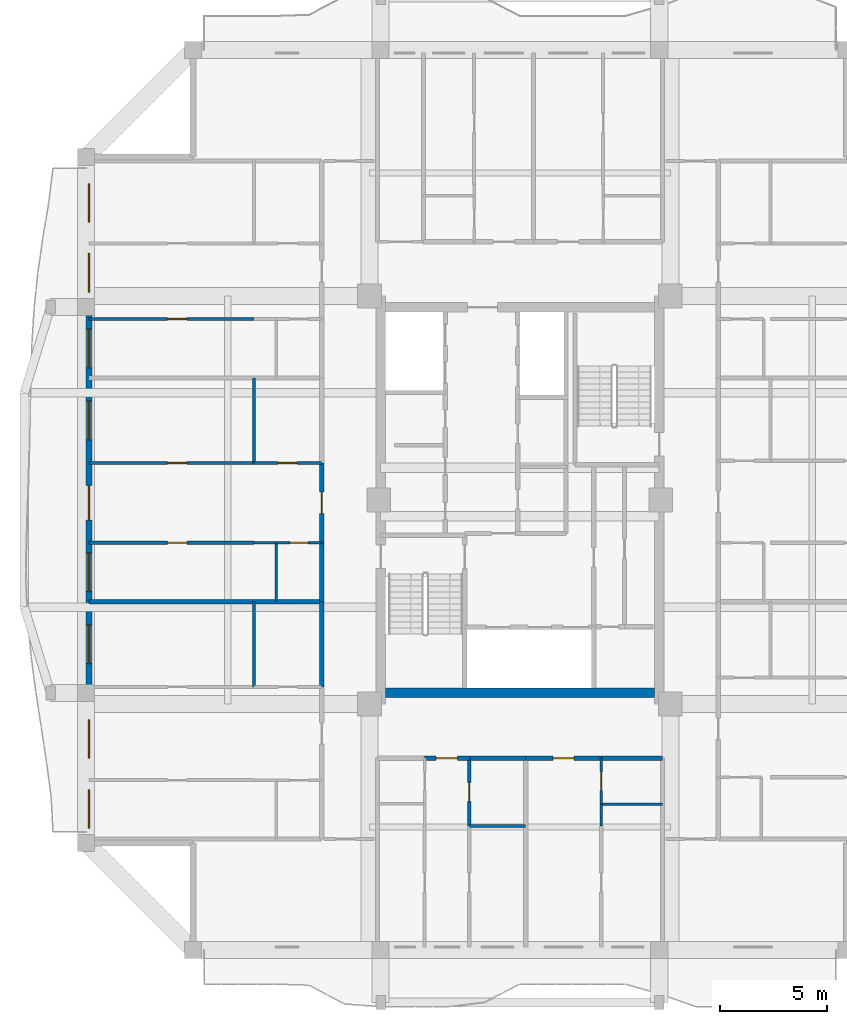
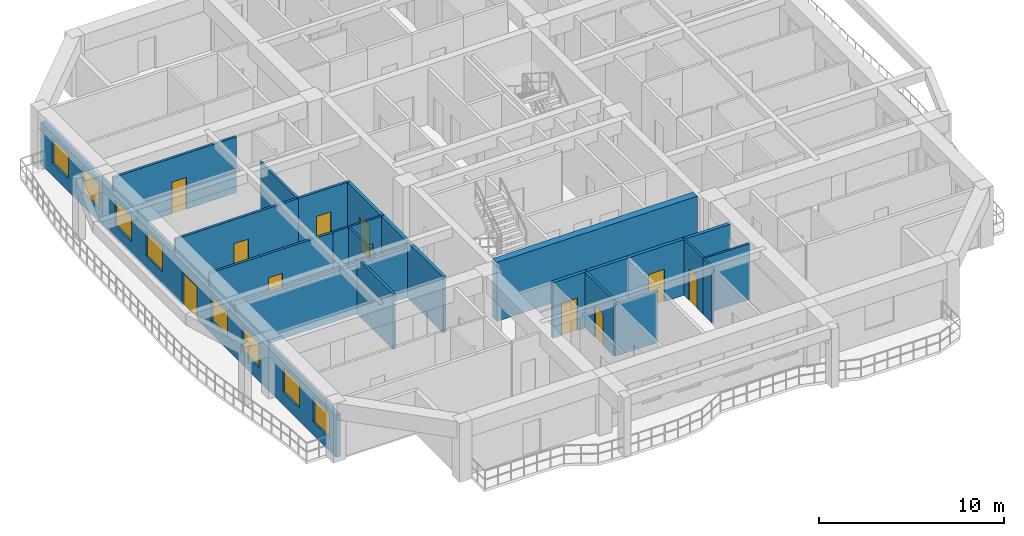
# One storey, part 3 of 14: 24 walls, 11 doors, 8 windows, 19 openings.
"""IFC4 building model written with IfcOpenShell, lengths in metres."""

import ifcopenshell
import ifcopenshell.guid

model = None  # the IFC model being written
_history = None  # IfcOwnerHistory: only IFC2X3 demands one
_inside = {}  # id of a spatial element -> (the spatial element, [elements in it])
_under = {}  # id of a project, library or spatial element -> (it, [spatial elements below it])
_declared = {}  # id of a project -> (the project, [libraries it declares])
_typed = {}  # id of a type object -> (the type object, [elements of that type])
_made_of = {}  # id of a material, layer set ... -> (it, [elements and type objects made of it])


def new_model(schema):
    """Start an empty IFC model of exactly this schema.

    Asked for "IFC4X3", IfcOpenShell would pick the latest addendum, in which some entities
    have other attributes; the version numbers below select the first issue.
    IFC2X3 requires an IfcOwnerHistory on every rooted entity: one is made here for all.
    """
    global model, _history
    if schema == "IFC4X3":
        model = ifcopenshell.file(schema_version=(4, 3, 0, 0))
    else:
        model = ifcopenshell.file(schema=schema)
    _inside.clear()
    _under.clear()
    _declared.clear()
    _typed.clear()
    _made_of.clear()
    _history = None
    if model.schema == "IFC2X3":
        org = make("IfcOrganization", Name="unknown")
        user = make(
            "IfcPersonAndOrganization",
            ThePerson=make("IfcPerson", FamilyName="unknown"),
            TheOrganization=org,
        )
        app = make(
            "IfcApplication",
            ApplicationDeveloper=org,
            Version="unknown",
            ApplicationFullName="unknown",
            ApplicationIdentifier="unknown",
        )
        _history = make(
            "IfcOwnerHistory",
            OwningUser=user,
            OwningApplication=app,
            ChangeAction="ADDED",
            CreationDate=0,
        )
    return model


def make(cls, **values):
    """One entity of the class cls with the attributes given. An attribute that is None is left unset."""
    return model.create_entity(
        cls, **{name: value for name, value in values.items() if value is not None}
    )


def rooted(cls, **values):
    """An entity with a GlobalId (a new one), such as an element, a storey or a relation."""
    return make(cls, GlobalId=ifcopenshell.guid.new(), OwnerHistory=_history, **values)


def si_unit(unit_type, name, prefix=None):
    """IfcSIUnit, for example si_unit("LENGTHUNIT", "METRE", prefix="MILLI")."""
    return make("IfcSIUnit", UnitType=unit_type, Prefix=prefix, Name=name)


def assignment(units):
    """IfcUnitAssignment: the units of a project."""
    return None if units is None else make("IfcUnitAssignment", Units=units)


def point(xyz):
    """IfcCartesianPoint."""
    return None if xyz is None else make("IfcCartesianPoint", Coordinates=xyz)


def direction(xyz):
    """IfcDirection."""
    return None if xyz is None else make("IfcDirection", DirectionRatios=xyz)


def frame(location, z_axis=None, x_axis=None):
    """IfcAxis2Placement3D, a coordinate frame: its origin and axes. An axis left out is left unset."""
    return make(
        "IfcAxis2Placement3D",
        Location=point(location),
        Axis=direction(z_axis),
        RefDirection=direction(x_axis),
    )


def frame_2d(location, x_axis=None):
    """IfcAxis2Placement2D, a coordinate frame in the plane: its origin and x axis."""
    return make(
        "IfcAxis2Placement2D", Location=point(location), RefDirection=direction(x_axis)
    )


def origin():
    """The frame at (0, 0, 0) with its axes left unset."""
    return frame((0.0, 0.0, 0.0))


def place(relative_to, where):
    """IfcLocalPlacement: puts the frame where relative to a parent placement (None: the world)."""
    return make(
        "IfcLocalPlacement", PlacementRelTo=relative_to, RelativePlacement=where
    )


def context(
    kind, dimensions, precision=None, world=None, true_north=None, identifier=None
):
    """IfcGeometricRepresentationContext, for example the 3D "Model" context."""
    return make(
        "IfcGeometricRepresentationContext",
        ContextIdentifier=identifier,
        ContextType=kind,
        CoordinateSpaceDimension=dimensions,
        Precision=precision,
        WorldCoordinateSystem=world,
        TrueNorth=true_north,
    )


def subcontext(parent, identifier, kind, view, scale=None):
    """IfcGeometricRepresentationSubContext, for example "Body" below "Model"."""
    return make(
        "IfcGeometricRepresentationSubContext",
        ContextIdentifier=identifier,
        ContextType=kind,
        ParentContext=parent,
        TargetScale=scale,
        TargetView=view,
    )


def project(units=None, contexts=None):
    """IfcProject with its units and contexts."""
    return rooted(
        "IfcProject",
        Name="project",
        RepresentationContexts=contexts,
        UnitsInContext=assignment(units),
    )


def spatial(cls, under=None, at=None, **own):
    """A site, building, storey or space (cls), placed at a placement, below another one or the project."""
    s = rooted(cls, ObjectPlacement=at, **own)
    if under is not None:
        _under.setdefault(under.id(), (under, []))[1].append(s)
    return s


def profile(cls, at=None, kind="AREA", **sizes):
    """A parametric profile (cls). Its sizes go by their IFC names, for example OverallWidth=200.0."""
    return make(cls, ProfileType=kind, Position=at, **sizes)


def rectangle(**sizes):
    """IfcRectangleProfileDef."""
    return profile("IfcRectangleProfileDef", **sizes)


def extrude(swept, where, along, depth):
    """IfcExtrudedAreaSolid: the profile swept, set in the frame where, extruded along a direction by depth."""
    return make(
        "IfcExtrudedAreaSolid",
        SweptArea=swept,
        Position=where,
        ExtrudedDirection=direction(along),
        Depth=depth,
    )


def shape(context_of_items, identifier, shape_type, items):
    """IfcShapeRepresentation: the items that make up one representation, for example the "Body"."""
    return make(
        "IfcShapeRepresentation",
        ContextOfItems=context_of_items,
        RepresentationIdentifier=identifier,
        RepresentationType=shape_type,
        Items=items,
    )


def source(mapping_origin, context_of_items, identifier, shape_type, items):
    """IfcRepresentationMap: a shape defined once, which mapped items show again and again."""
    return make(
        "IfcRepresentationMap",
        MappingOrigin=mapping_origin,
        MappedRepresentation=shape(context_of_items, identifier, shape_type, items),
    )


def transform(
    local_origin,
    x_axis=None,
    y_axis=None,
    z_axis=None,
    scale=None,
    scale2=None,
    scale3=None,
    uniform=True,
):
    """IfcCartesianTransformationOperator3D, or its non-uniform kind. x_axis, y_axis, z_axis: its Axis1, 2, 3."""
    if uniform:
        return make(
            "IfcCartesianTransformationOperator3D",
            Axis1=direction(x_axis),
            Axis2=direction(y_axis),
            LocalOrigin=point(local_origin),
            Scale=scale,
            Axis3=direction(z_axis),
        )
    return make(
        "IfcCartesianTransformationOperator3DnonUniform",
        Axis1=direction(x_axis),
        Axis2=direction(y_axis),
        LocalOrigin=point(local_origin),
        Scale=scale,
        Axis3=direction(z_axis),
        Scale2=scale2,
        Scale3=scale3,
    )


def mapped(mapping_source, mapping_target):
    """IfcMappedItem: shows the shape of a source again, moved by a transform."""
    return make(
        "IfcMappedItem", MappingSource=mapping_source, MappingTarget=mapping_target
    )


def material(Name=None, Category=None):
    """IfcMaterial."""
    return make("IfcMaterial", Name=Name, Category=Category)


def layer(
    of_material, thickness, ventilated=None, Name=None, Category=None, Priority=None
):
    """IfcMaterialLayer: one layer of a wall or slab, of a material (None: an air gap)."""
    return make(
        "IfcMaterialLayer",
        Material=of_material,
        LayerThickness=thickness,
        IsVentilated=ventilated,
        Name=Name,
        Category=Category,
        Priority=Priority,
    )


def layer_set(layers, Name=None):
    """IfcMaterialLayerSet."""
    return make("IfcMaterialLayerSet", MaterialLayers=layers, LayerSetName=Name)


def made_of(thing, what):
    """Note that an element or type object is made of a material, layer set ...; save() writes the relation."""
    if what is not None:
        _made_of.setdefault(what.id(), (what, []))[1].append(thing)
    return thing


def type_object(cls, material=None, **own):
    """A type object (cls), such as IfcWallType, which elements share."""
    return made_of(rooted(cls, **own), material)


def element(
    cls,
    number,
    at=None,
    inside=None,
    cuts=None,
    type_object=None,
    material=None,
    context=None,
    identifier="Body",
    shape_type=None,
    held_by="IfcProductDefinitionShape",
    body=None,
    shapes=None,
    **own,
):
    """One element of the class cls, such as IfcWall. Its Tag is "e" and its number.

    at: its placement. inside: the storey or other place that contains it. cuts: it is an
    opening in that element (IfcRelVoidsElement). A single representation is given by context,
    identifier, shape_type and body (its items); several are given by shapes. held_by: the class
    of the entity that holds the representations. save() writes the other relations.
    """
    e = rooted(cls, Tag="e%d" % number, ObjectPlacement=at, **own)
    if body is not None:
        shapes = [shape(context, identifier, shape_type, body)]
    if shapes is not None:
        e.Representation = make(held_by, Representations=shapes)
    if inside is not None:
        _inside.setdefault(inside.id(), (inside, []))[1].append(e)
    if cuts is not None:
        rooted(
            "IfcRelVoidsElement", RelatingBuildingElement=cuts, RelatedOpeningElement=e
        )
    if type_object is not None:
        _typed.setdefault(type_object.id(), (type_object, []))[1].append(e)
    return made_of(e, material)


def fill(opening, filler):
    """IfcRelFillsElement: the door or window that sits in an opening."""
    return rooted(
        "IfcRelFillsElement",
        RelatingOpeningElement=opening,
        RelatedBuildingElement=filler,
    )


def aggregate(whole, parts):
    """IfcRelAggregates: a whole, such as a stair, and the parts it consists of."""
    return rooted("IfcRelAggregates", RelatingObject=whole, RelatedObjects=parts)


def save(model, path):
    """Write the relations noted so far, then the file.

    IfcRelAggregates (storeys below a building ...), IfcRelContainedInSpatialStructure (elements
    in a storey), IfcRelDefinesByType, IfcRelAssociatesMaterial and IfcRelDeclares: one each for
    every whole, place, type object, material and project.
    """
    for whole, parts in _under.values():
        aggregate(whole, parts)
    for where, things in _inside.values():
        rooted(
            "IfcRelContainedInSpatialStructure",
            RelatedElements=things,
            RelatingStructure=where,
        )
    for kind, things in _typed.values():
        rooted("IfcRelDefinesByType", RelatedObjects=things, RelatingType=kind)
    for what, things in _made_of.values():
        rooted("IfcRelAssociatesMaterial", RelatedObjects=things, RelatingMaterial=what)
    for by, libraries in _declared.values():
        rooted("IfcRelDeclares", RelatingContext=by, RelatedDefinitions=libraries)
    model.write(path)


model = new_model("IFC4")

# Units and contexts
model_context = context("Model", 3, precision=1e-05, world=origin(), true_north=direction((0.0, 1.0)))
body_context = subcontext(model_context, "Body", "Model", "MODEL_VIEW")
ifc_project = project(units=[si_unit("LENGTHUNIT", "METRE"), si_unit("AREAUNIT", "SQUARE_METRE"), si_unit("VOLUMEUNIT", "CUBIC_METRE"), si_unit("PLANEANGLEUNIT", "RADIAN"), si_unit("MASSUNIT", "GRAM", prefix="KILO")], contexts=[model_context])

# Site, building, storey
site_placement = place(None, origin())
site = spatial("IfcSite", under=ifc_project, at=site_placement, CompositionType="ELEMENT")
building_placement = place(site_placement, origin())
building = spatial("IfcBuilding", under=site, at=building_placement, Name="Saelheon Loggia Tower", CompositionType="ELEMENT")
storey_placement = place(building_placement, frame((0.0, 0.0, 182.800048828125)))
storey = spatial("IfcBuildingStorey", under=building, at=storey_placement, Name="L57", CompositionType="ELEMENT", Elevation=182.800048828125)

# Wall
ifc_material_1 = material(Name="Concrete C45/55", Category="concrete")
ifc_layer_1 = layer(ifc_material_1, 0.449951171875)
ifc_layer_set_1 = layer_set([ifc_layer_1], Name="Concrete C45/55")
wall_type_1 = type_object("IfcWallType", Name="Wall_CoreShear_450", PredefinedType="SHEAR", material=ifc_layer_set_1)
wall_1_placement = place(storey_placement, frame((31.72509765625, 18.0, 0.0), z_axis=(0.0, 0.0, 1.0), x_axis=(1.0, 0.0, 0.0)))
element("IfcWall", 1, at=wall_1_placement, inside=storey, type_object=wall_type_1, Name="L57 Core Shear Wall South", PredefinedType="SHEAR", context=body_context, shape_type="SweptSolid", body=[
    extrude(rectangle(XDim=12.5498046875, YDim=0.449951171875, at=frame_2d((6.27490234375, 0.0))), origin(), (0.0, 0.0, 1.0), 3.89990234375),
])

# Wall, openings, windows, door
ifc_material_2 = material(Name="Architectural Precast Concrete C40/50", Category="concrete")
ifc_layer_2 = layer(ifc_material_2, 0.280029296875)
ifc_layer_set_2 = layer_set([ifc_layer_2], Name="Architectural Precast Concrete C40/50")
wall_type_2 = type_object("IfcWallType", Name="Wall_Ext_Loggia_280", PredefinedType="SOLIDWALL", material=ifc_layer_set_2)
wall_2_placement = place(storey_placement, frame((17.889892578125, 11.0, 0.0), z_axis=(0.0, 0.0, 1.0), x_axis=(0.0, 1.0, 0.0)))
wall_2 = element("IfcWall", 2, at=wall_2_placement, inside=storey, type_object=wall_type_2, Name="L57 West Loggia Inner Wall", PredefinedType="SOLIDWALL", context=body_context, shape_type="SweptSolid", body=[
    extrude(rectangle(XDim=32.0, YDim=0.280029296875, at=frame_2d((16.0, 0.0))), origin(), (0.0, 0.0, 1.0), 2.7900390625),
])
opening_1_placement = place(wall_2_placement, frame((0.68505859375, 0.0, 0.85009765625)))
opening_1 = element("IfcOpeningElement", 3, at=opening_1_placement, cuts=wall_2, Name="Opening WN-01", PredefinedType="OPENING", context=body_context, shape_type="SweptSolid", body=[
    extrude(rectangle(XDim=1.800048828125, YDim=1.64990234375, at=frame_2d((0.89990234375, 0.824951171875))), frame((0.0, 0.152099609375, 0.0), z_axis=(0.0, -1.0, 0.0), x_axis=(1.0, 0.0, 0.0)), (0.0, 0.0, 1.0), 0.303955078125),
])
opening_2_placement = place(wall_2_placement, frame((3.945068359375, 0.0, 0.85009765625)))
opening_2 = element("IfcOpeningElement", 4, at=opening_2_placement, cuts=wall_2, Name="Opening WN-01", PredefinedType="OPENING", context=body_context, shape_type="SweptSolid", body=[
    extrude(rectangle(XDim=1.800048828125, YDim=1.64990234375, at=frame_2d((0.89990234375, 0.824951171875))), frame((0.0, 0.152099609375, 0.0), z_axis=(0.0, -1.0, 0.0), x_axis=(1.0, 0.0, 0.0)), (0.0, 0.0, 1.0), 0.303955078125),
])
opening_3_placement = place(wall_2_placement, frame((8.366943359375, 0.0, 0.85009765625)))
opening_3 = element("IfcOpeningElement", 5, at=opening_3_placement, cuts=wall_2, Name="Opening WN-01", PredefinedType="OPENING", context=body_context, shape_type="SweptSolid", body=[
    extrude(rectangle(XDim=1.800048828125, YDim=1.64990234375, at=frame_2d((0.89990234375, 0.824951171875))), frame((0.0, 0.152099609375, 0.0), z_axis=(0.0, -1.0, 0.0), x_axis=(1.0, 0.0, 0.0)), (0.0, 0.0, 1.0), 0.303955078125),
])
opening_4_placement = place(wall_2_placement, frame((11.72900390625, 0.0, 0.85009765625)))
opening_4 = element("IfcOpeningElement", 6, at=opening_4_placement, cuts=wall_2, Name="Opening WN-01", PredefinedType="OPENING", context=body_context, shape_type="SweptSolid", body=[
    extrude(rectangle(XDim=1.800048828125, YDim=1.64990234375, at=frame_2d((0.89990234375, 0.824951171875))), frame((0.0, 0.152099609375, 0.0), z_axis=(0.0, -1.0, 0.0), x_axis=(1.0, 0.0, 0.0)), (0.0, 0.0, 1.0), 0.303955078125),
])
opening_5_placement = place(wall_2_placement, frame((15.065673828125, 0.0, 0.0)))
opening_5 = element("IfcOpeningElement", 7, at=opening_5_placement, cuts=wall_2, Name="Opening DLG-1", PredefinedType="OPENING", context=body_context, shape_type="SweptSolid", body=[
    extrude(rectangle(XDim=1.60009765625, YDim=2.14990234375, at=frame_2d((0.800048828125, 1.074951171875))), frame((0.0, 0.152099609375, 0.0), z_axis=(0.0, -1.0, 0.0), x_axis=(1.0, 0.0, 0.0)), (0.0, 0.0, 1.0), 0.303955078125),
])
opening_6_placement = place(wall_2_placement, frame((18.811279296875, 0.0, 0.85009765625)))
opening_6 = element("IfcOpeningElement", 8, at=opening_6_placement, cuts=wall_2, Name="Opening WN-01", PredefinedType="OPENING", context=body_context, shape_type="SweptSolid", body=[
    extrude(rectangle(XDim=1.800048828125, YDim=1.64990234375, at=frame_2d((0.89990234375, 0.824951171875))), frame((0.0, 0.152099609375, 0.0), z_axis=(0.0, -1.0, 0.0), x_axis=(1.0, 0.0, 0.0)), (0.0, 0.0, 1.0), 0.303955078125),
])
opening_7_placement = place(wall_2_placement, frame((22.170166015625, 0.0, 0.85009765625)))
opening_7 = element("IfcOpeningElement", 9, at=opening_7_placement, cuts=wall_2, Name="Opening WN-01", PredefinedType="OPENING", context=body_context, shape_type="SweptSolid", body=[
    extrude(rectangle(XDim=1.800048828125, YDim=1.64990234375, at=frame_2d((0.89990234375, 0.824951171875))), frame((0.0, 0.152099609375, 0.0), z_axis=(0.0, -1.0, 0.0), x_axis=(1.0, 0.0, 0.0)), (0.0, 0.0, 1.0), 0.303955078125),
])
opening_8_placement = place(wall_2_placement, frame((25.706298828125, 0.0, 0.85009765625)))
opening_8 = element("IfcOpeningElement", 10, at=opening_8_placement, cuts=wall_2, Name="Opening WN-01", PredefinedType="OPENING", context=body_context, shape_type="SweptSolid", body=[
    extrude(rectangle(XDim=1.800048828125, YDim=1.64990234375, at=frame_2d((0.89990234375, 0.824951171875))), frame((0.0, 0.152099609375, 0.0), z_axis=(0.0, -1.0, 0.0), x_axis=(1.0, 0.0, 0.0)), (0.0, 0.0, 1.0), 0.303955078125),
])
opening_9_placement = place(wall_2_placement, frame((28.96630859375, 0.0, 0.85009765625)))
opening_9 = element("IfcOpeningElement", 11, at=opening_9_placement, cuts=wall_2, Name="Opening WN-01", PredefinedType="OPENING", context=body_context, shape_type="SweptSolid", body=[
    extrude(rectangle(XDim=1.800048828125, YDim=1.64990234375, at=frame_2d((0.89990234375, 0.824951171875))), frame((0.0, 0.152099609375, 0.0), z_axis=(0.0, -1.0, 0.0), x_axis=(1.0, 0.0, 0.0)), (0.0, 0.0, 1.0), 0.303955078125),
])
ifc_material_3 = material(Name="Thermal-Break Aluminium and Triple Low-E Glass", Category="aluminium")
window_type = type_object("IfcWindowType", Name="Win_Dwelling_1800x1650", PartitioningType="SINGLE_PANEL", PredefinedType="WINDOW", material=ifc_material_3)
shared_shape_1 = source(origin(), body_context, "Body", "SweptSolid", [
    extrude(rectangle(XDim=1.800048828125, YDim=1.64990234375, at=frame_2d((0.89990234375, 0.824951171875))), frame((0.0, 0.030029296875, 0.0), z_axis=(0.0, -1.0, 0.0), x_axis=(1.0, 0.0, 0.0)), (0.0, 0.0, 1.0), 0.06005859375),
])
window_1_placement = place(opening_1_placement, origin())
window_1 = element("IfcWindow", 12, at=window_1_placement, inside=storey, type_object=window_type, Name="L57 W Dwelling Window 1", OverallHeight=1.64990234375, OverallWidth=1.800048828125, PartitioningType="SINGLE_PANEL", PredefinedType="WINDOW", context=body_context, shape_type="MappedRepresentation", body=[
    mapped(shared_shape_1, transform((0.0, 0.0, 0.0), scale=1.0)),
])
fill(opening_1, window_1)
window_2_placement = place(opening_2_placement, origin())
window_2 = element("IfcWindow", 13, at=window_2_placement, inside=storey, type_object=window_type, Name="L57 W Dwelling Window 2", OverallHeight=1.64990234375, OverallWidth=1.800048828125, PartitioningType="SINGLE_PANEL", PredefinedType="WINDOW", context=body_context, shape_type="MappedRepresentation", body=[
    mapped(shared_shape_1, transform((0.0, 0.0, 0.0), scale=1.0)),
])
fill(opening_2, window_2)
window_3_placement = place(opening_3_placement, origin())
window_3 = element("IfcWindow", 14, at=window_3_placement, inside=storey, type_object=window_type, Name="L57 W Dwelling Window 3", OverallHeight=1.64990234375, OverallWidth=1.800048828125, PartitioningType="SINGLE_PANEL", PredefinedType="WINDOW", context=body_context, shape_type="MappedRepresentation", body=[
    mapped(shared_shape_1, transform((0.0, 0.0, 0.0), scale=1.0)),
])
fill(opening_3, window_3)
window_4_placement = place(opening_4_placement, origin())
window_4 = element("IfcWindow", 15, at=window_4_placement, inside=storey, type_object=window_type, Name="L57 W Dwelling Window 4", OverallHeight=1.64990234375, OverallWidth=1.800048828125, PartitioningType="SINGLE_PANEL", PredefinedType="WINDOW", context=body_context, shape_type="MappedRepresentation", body=[
    mapped(shared_shape_1, transform((0.0, 0.0, 0.0), scale=1.0)),
])
fill(opening_4, window_4)
window_5_placement = place(opening_6_placement, origin())
window_5 = element("IfcWindow", 16, at=window_5_placement, inside=storey, type_object=window_type, Name="L57 W Dwelling Window 6", OverallHeight=1.64990234375, OverallWidth=1.800048828125, PartitioningType="SINGLE_PANEL", PredefinedType="WINDOW", context=body_context, shape_type="MappedRepresentation", body=[
    mapped(shared_shape_1, transform((0.0, 0.0, 0.0), scale=1.0)),
])
fill(opening_6, window_5)
window_6_placement = place(opening_7_placement, origin())
window_6 = element("IfcWindow", 17, at=window_6_placement, inside=storey, type_object=window_type, Name="L57 W Dwelling Window 7", OverallHeight=1.64990234375, OverallWidth=1.800048828125, PartitioningType="SINGLE_PANEL", PredefinedType="WINDOW", context=body_context, shape_type="MappedRepresentation", body=[
    mapped(shared_shape_1, transform((0.0, 0.0, 0.0), scale=1.0)),
])
fill(opening_7, window_6)
window_7_placement = place(opening_8_placement, origin())
window_7 = element("IfcWindow", 18, at=window_7_placement, inside=storey, type_object=window_type, Name="L57 W Dwelling Window 8", OverallHeight=1.64990234375, OverallWidth=1.800048828125, PartitioningType="SINGLE_PANEL", PredefinedType="WINDOW", context=body_context, shape_type="MappedRepresentation", body=[
    mapped(shared_shape_1, transform((0.0, 0.0, 0.0), scale=1.0)),
])
fill(opening_8, window_7)
window_8_placement = place(opening_9_placement, origin())
window_8 = element("IfcWindow", 19, at=window_8_placement, inside=storey, type_object=window_type, Name="L57 W Dwelling Window 9", OverallHeight=1.64990234375, OverallWidth=1.800048828125, PartitioningType="SINGLE_PANEL", PredefinedType="WINDOW", context=body_context, shape_type="MappedRepresentation", body=[
    mapped(shared_shape_1, transform((0.0, 0.0, 0.0), scale=1.0)),
])
fill(opening_9, window_8)
ifc_material_4 = material(Name="Thermal-Break Aluminium Sliding Glazed Door", Category="aluminium")
door_type_1 = type_object("IfcDoorType", Name="Door_LoggiaSlide_1600", OperationType="SLIDING_TO_LEFT", PredefinedType="DOOR", material=ifc_material_4)
shared_shape_2 = source(origin(), body_context, "Body", "SweptSolid", [
    extrude(rectangle(XDim=1.60009765625, YDim=2.14990234375, at=frame_2d((0.800048828125, 1.074951171875))), frame((0.0, 0.02490234375, 0.0), z_axis=(0.0, -1.0, 0.0), x_axis=(1.0, 0.0, 0.0)), (0.0, 0.0, 1.0), 0.050048828125),
])
door_1_placement = place(opening_5_placement, origin())
door_1 = element("IfcDoor", 20, at=door_1_placement, inside=storey, type_object=door_type_1, Name="L57 W Loggia Access Door", OperationType="SLIDING_TO_LEFT", OverallHeight=2.14990234375, OverallWidth=1.60009765625, PredefinedType="DOOR", context=body_context, shape_type="MappedRepresentation", body=[
    mapped(shared_shape_2, transform((0.0, 0.0, 0.0), scale=1.0)),
])
fill(opening_5, door_1)

# Wall
ifc_material_5 = material(Name="Lightweight Autoclaved Aerated Concrete Block and Acoustic Gypsum", Category="concrete")
ifc_layer_3 = layer(ifc_material_5, 0.14990234375)
ifc_layer_set_3 = layer_set([ifc_layer_3], Name="Lightweight Autoclaved Aerated Concrete Block and Acoustic Gypsum")
wall_type_3 = type_object("IfcWallType", Name="Wall_Part_150", PredefinedType="PARTITIONING", material=ifc_layer_set_3)
wall_3_placement = place(storey_placement, frame((35.637939453125, 11.7900390625, 0.0), z_axis=(0.0, 0.0, 1.0), x_axis=(1.0, 0.0, 0.0)))
element("IfcWall", 21, at=wall_3_placement, inside=storey, type_object=wall_type_3, Name="L57 S Partition V07", PredefinedType="PARTITIONING", context=body_context, shape_type="SweptSolid", body=[
    extrude(rectangle(XDim=2.628173828125, YDim=0.14990234375, at=frame_2d((1.31396484375, 0.0))), origin(), (0.0, 0.0, 1.0), 3.389892578125),
])

# Wall, opening, door
wall_4_placement = place(storey_placement, frame((35.637939453125, 14.949951171875, 0.0), z_axis=(0.0, 0.0, 1.0), x_axis=(0.0, -1.0, 0.0)))
wall_4 = element("IfcWall", 22, at=wall_4_placement, inside=storey, type_object=wall_type_3, Name="L57 S Partition U11", PredefinedType="PARTITIONING", context=body_context, shape_type="SweptSolid", body=[
    extrude(rectangle(XDim=3.159912109375, YDim=0.14990234375, at=frame_2d((1.580078125, 0.0))), origin(), (0.0, 0.0, 1.0), 3.68994140625),
])
opening_10_placement = place(wall_4_placement, frame((1.1298828125, 0.0, 0.0)))
opening_10 = element("IfcOpeningElement", 23, at=opening_10_placement, cuts=wall_4, Name="Opening D-IN2", PredefinedType="OPENING", context=body_context, shape_type="SweptSolid", body=[
    extrude(rectangle(XDim=0.89990234375, YDim=2.10009765625, at=frame_2d((0.449951171875, 1.050048828125))), frame((0.0, 0.0869140625, 0.0), z_axis=(0.0, -1.0, 0.0), x_axis=(1.0, 0.0, 0.0)), (0.0, 0.0, 1.0), 0.173828125),
])
ifc_material_6 = material(Name="Engineered Oak Flush Door", Category="timber")
door_type_2 = type_object("IfcDoorType", Name="Door_Int_900", OperationType="NOTDEFINED", PredefinedType="DOOR", material=ifc_material_6)
shared_shape_3 = source(origin(), body_context, "Body", "SweptSolid", [
    extrude(rectangle(XDim=0.89990234375, YDim=2.10009765625, at=frame_2d((0.449951171875, 1.050048828125))), frame((0.0, 0.02490234375, 0.0), z_axis=(0.0, -1.0, 0.0), x_axis=(1.0, 0.0, 0.0)), (0.0, 0.0, 1.0), 0.050048828125),
])
door_2_placement = place(opening_10_placement, origin())
door_2 = element("IfcDoor", 24, at=door_2_placement, inside=storey, type_object=door_type_2, Name="Unit U01 Dressing Closet Door", OperationType="SINGLE_SWING_RIGHT", OverallHeight=2.10009765625, OverallWidth=0.89990234375, PredefinedType="DOOR", context=body_context, shape_type="MappedRepresentation", body=[
    mapped(shared_shape_3, transform((0.0, 0.0, 0.0), scale=1.0)),
])
fill(opening_10, door_2)

# Walls
wall_5_placement = place(storey_placement, frame((25.590087890625, 18.280029296875, 0.0), z_axis=(0.0, 0.0, 1.0), x_axis=(0.0, 1.0, 0.0)))
element("IfcWall", 25, at=wall_5_placement, inside=storey, type_object=wall_type_3, Name="L57 W Partition V07", PredefinedType="PARTITIONING", context=body_context, shape_type="SweptSolid", body=[
    extrude(rectangle(XDim=3.973876953125, YDim=0.14990234375, at=frame_2d((1.98681640625, 0.0))), origin(), (0.0, 0.0, 1.0), 3.68994140625),
])
wall_6_placement = place(storey_placement, frame((25.590087890625, 28.7275390625, 0.0), z_axis=(0.0, 0.0, 1.0), x_axis=(0.0, 1.0, 0.0)))
element("IfcWall", 26, at=wall_6_placement, inside=storey, type_object=wall_type_3, Name="L57 W Partition V18", PredefinedType="PARTITIONING", context=body_context, shape_type="SweptSolid", body=[
    extrude(rectangle(XDim=3.9677734375, YDim=0.14990234375, at=frame_2d((1.98388671875, 0.0))), origin(), (0.0, 0.0, 1.0), 3.68994140625),
])

# Wall, opening, door
wall_7_placement = place(storey_placement, frame((25.590087890625, 25.00390625, 0.0), z_axis=(0.0, 0.0, 1.0), x_axis=(-1.0, 0.0, 0.0)))
wall_7 = element("IfcWall", 27, at=wall_7_placement, inside=storey, type_object=wall_type_3, Name="L57 W Partition U21", PredefinedType="PARTITIONING", context=body_context, shape_type="SweptSolid", body=[
    extrude(rectangle(XDim=7.690185546875, YDim=0.14990234375, at=frame_2d((3.84521484375, 0.0))), origin(), (0.0, 0.0, 1.0), 3.68994140625),
])
opening_11_placement = place(wall_7_placement, frame((3.132080078125, 0.0, 0.0)))
opening_11 = element("IfcOpeningElement", 28, at=opening_11_placement, cuts=wall_7, Name="Opening D-IN2", PredefinedType="OPENING", context=body_context, shape_type="SweptSolid", body=[
    extrude(rectangle(XDim=0.89990234375, YDim=2.10009765625, at=frame_2d((0.449951171875, 1.050048828125))), frame((0.0, 0.0869140625, 0.0), z_axis=(0.0, -1.0, 0.0), x_axis=(1.0, 0.0, 0.0)), (0.0, 0.0, 1.0), 0.173828125),
])
door_3_placement = place(opening_11_placement, origin())
door_3 = element("IfcDoor", 29, at=door_3_placement, inside=storey, type_object=door_type_2, Name="Unit U06 Kitchen Door", OperationType="SINGLE_SWING_LEFT", OverallHeight=2.10009765625, OverallWidth=0.89990234375, PredefinedType="DOOR", context=body_context, shape_type="MappedRepresentation", body=[
    mapped(shared_shape_3, transform((0.0, 0.0, 0.0), scale=1.0)),
])
fill(opening_11, door_3)

wall_8_placement = place(storey_placement, frame((28.75, 28.7275390625, 0.0), z_axis=(0.0, 0.0, 1.0), x_axis=(-1.0, 0.0, 0.0)))
wall_8 = element("IfcWall", 30, at=wall_8_placement, inside=storey, type_object=wall_type_3, Name="L57 W Partition U22", PredefinedType="PARTITIONING", context=body_context, shape_type="SweptSolid", body=[
    extrude(rectangle(XDim=3.159912109375, YDim=0.14990234375, at=frame_2d((1.580078125, 0.0))), origin(), (0.0, 0.0, 1.0), 3.68994140625),
])
opening_12_placement = place(wall_8_placement, frame((1.1298828125, 0.0, 0.0)))
opening_12 = element("IfcOpeningElement", 31, at=opening_12_placement, cuts=wall_8, Name="Opening D-IN2", PredefinedType="OPENING", context=body_context, shape_type="SweptSolid", body=[
    extrude(rectangle(XDim=0.89990234375, YDim=2.10009765625, at=frame_2d((0.449951171875, 1.050048828125))), frame((0.0, 0.0869140625, 0.0), z_axis=(0.0, -1.0, 0.0), x_axis=(1.0, 0.0, 0.0)), (0.0, 0.0, 1.0), 0.173828125),
])
door_4_placement = place(opening_12_placement, origin())
door_4 = element("IfcDoor", 32, at=door_4_placement, inside=storey, type_object=door_type_2, Name="Unit U06 Home Office Door", OperationType="SINGLE_SWING_RIGHT", OverallHeight=2.10009765625, OverallWidth=0.89990234375, PredefinedType="DOOR", context=body_context, shape_type="MappedRepresentation", body=[
    mapped(shared_shape_3, transform((0.0, 0.0, 0.0), scale=1.0)),
])
fill(opening_12, door_4)

wall_9_placement = place(storey_placement, frame((25.590087890625, 28.7275390625, 0.0), z_axis=(0.0, 0.0, 1.0), x_axis=(-1.0, 0.0, 0.0)))
wall_9 = element("IfcWall", 33, at=wall_9_placement, inside=storey, type_object=wall_type_3, Name="L57 W Partition U23", PredefinedType="PARTITIONING", context=body_context, shape_type="SweptSolid", body=[
    extrude(rectangle(XDim=7.690185546875, YDim=0.14990234375, at=frame_2d((3.84521484375, 0.0))), origin(), (0.0, 0.0, 1.0), 3.68994140625),
])
opening_13_placement = place(wall_9_placement, frame((3.132080078125, 0.0, 0.0)))
opening_13 = element("IfcOpeningElement", 34, at=opening_13_placement, cuts=wall_9, Name="Opening D-IN2", PredefinedType="OPENING", context=body_context, shape_type="SweptSolid", body=[
    extrude(rectangle(XDim=0.89990234375, YDim=2.10009765625, at=frame_2d((0.449951171875, 1.050048828125))), frame((0.0, 0.0869140625, 0.0), z_axis=(0.0, -1.0, 0.0), x_axis=(1.0, 0.0, 0.0)), (0.0, 0.0, 1.0), 0.173828125),
])
door_5_placement = place(opening_13_placement, origin())
door_5 = element("IfcDoor", 35, at=door_5_placement, inside=storey, type_object=door_type_2, Name="Unit U06 Bedroom 1 Door", OperationType="SINGLE_SWING_LEFT", OverallHeight=2.10009765625, OverallWidth=0.89990234375, PredefinedType="DOOR", context=body_context, shape_type="MappedRepresentation", body=[
    mapped(shared_shape_3, transform((0.0, 0.0, 0.0), scale=1.0)),
])
fill(opening_13, door_5)

wall_10_placement = place(storey_placement, frame((25.590087890625, 35.4453125, 0.0), z_axis=(0.0, 0.0, 1.0), x_axis=(-1.0, 0.0, 0.0)))
wall_10 = element("IfcWall", 36, at=wall_10_placement, inside=storey, type_object=wall_type_3, Name="L57 W Partition U32", PredefinedType="PARTITIONING", context=body_context, shape_type="SweptSolid", body=[
    extrude(rectangle(XDim=7.690185546875, YDim=0.14990234375, at=frame_2d((3.84521484375, 0.0))), origin(), (0.0, 0.0, 1.0), 3.68994140625),
])
opening_14_placement = place(wall_10_placement, frame((3.132080078125, 0.0, 0.0)))
opening_14 = element("IfcOpeningElement", 37, at=opening_14_placement, cuts=wall_10, Name="Opening D-IN2", PredefinedType="OPENING", context=body_context, shape_type="SweptSolid", body=[
    extrude(rectangle(XDim=0.89990234375, YDim=2.10009765625, at=frame_2d((0.449951171875, 1.050048828125))), frame((0.0, 0.0869140625, 0.0), z_axis=(0.0, -1.0, 0.0), x_axis=(1.0, 0.0, 0.0)), (0.0, 0.0, 1.0), 0.173828125),
])
door_6_placement = place(opening_14_placement, origin())
door_6 = element("IfcDoor", 38, at=door_6_placement, inside=storey, type_object=door_type_2, Name="Unit U07 Kitchen Door", OperationType="SINGLE_SWING_RIGHT", OverallHeight=2.10009765625, OverallWidth=0.89990234375, PredefinedType="DOOR", context=body_context, shape_type="MappedRepresentation", body=[
    mapped(shared_shape_3, transform((0.0, 0.0, 0.0), scale=1.0)),
])
fill(opening_14, door_6)

ifc_material_7 = material(Name="Double Acoustic Stud and Fireboard Partition", Category="gypsum")
ifc_layer_4 = layer(ifc_material_7, 0.199951171875)
ifc_layer_set_4 = layer_set([ifc_layer_4], Name="Double Acoustic Stud and Fireboard Partition")
wall_type_4 = type_object("IfcWallType", Name="Wall_Party_200", PredefinedType="PARTITIONING", material=ifc_layer_set_4)
wall_11_placement = place(storey_placement, frame((33.550048828125, 14.949951171875, 0.0), z_axis=(0.0, 0.0, 1.0), x_axis=(1.0, 0.0, 0.0)))
wall_11 = element("IfcWall", 39, at=wall_11_placement, inside=storey, type_object=wall_type_4, Name="L57 S Partition V04", PredefinedType="PARTITIONING", context=body_context, shape_type="SweptSolid", body=[
    extrude(rectangle(XDim=2.087890625, YDim=0.199951171875, at=frame_2d((1.0439453125, 0.0))), origin(), (0.0, 0.0, 1.0), 3.68994140625),
])
opening_15_placement = place(wall_11_placement, frame((0.5439453125, 0.0, 0.0)))
opening_15 = element("IfcOpeningElement", 40, at=opening_15_placement, cuts=wall_11, Name="Opening D-FD1", PredefinedType="OPENING", context=body_context, shape_type="SweptSolid", body=[
    extrude(rectangle(XDim=1.0, YDim=2.14990234375, at=frame_2d((0.5, 1.074951171875))), frame((0.0, 0.112060546875, 0.0), z_axis=(0.0, -1.0, 0.0), x_axis=(1.0, 0.0, 0.0)), (0.0, 0.0, 1.0), 0.223876953125),
])
ifc_material_8 = material(Name="Fire-Rated Engineered Timber Entrance Door", Category="wood")
door_type_3 = type_object("IfcDoorType", Name="Door_Flat_FD30S", OperationType="NOTDEFINED", PredefinedType="DOOR", material=ifc_material_8)
shared_shape_4 = source(origin(), body_context, "Body", "SweptSolid", [
    extrude(rectangle(XDim=1.0, YDim=2.14990234375, at=frame_2d((0.5, 1.074951171875))), frame((0.0, 0.02490234375, 0.0), z_axis=(0.0, -1.0, 0.0), x_axis=(1.0, 0.0, 0.0)), (0.0, 0.0, 1.0), 0.050048828125),
])
door_7_placement = place(opening_15_placement, origin())
door_7 = element("IfcDoor", 41, at=door_7_placement, inside=storey, type_object=door_type_3, Name="Unit U01 Entrance Door", OperationType="SINGLE_SWING_LEFT", OverallHeight=2.14990234375, OverallWidth=1.0, PredefinedType="DOOR", context=body_context, shape_type="MappedRepresentation", body=[
    mapped(shared_shape_4, transform((0.0, 0.0, 0.0), scale=1.0)),
])
fill(opening_15, door_7)

# Wall
wall_12_placement = place(storey_placement, frame((35.637939453125, 14.949951171875, 0.0), z_axis=(0.0, 0.0, 1.0), x_axis=(1.0, 0.0, 0.0)))
element("IfcWall", 42, at=wall_12_placement, inside=storey, type_object=wall_type_4, Name="L57 S Partition V05", PredefinedType="PARTITIONING", context=body_context, shape_type="SweptSolid", body=[
    extrude(rectangle(XDim=2.628173828125, YDim=0.199951171875, at=frame_2d((1.31396484375, 0.0))), origin(), (0.0, 0.0, 1.0), 3.68994140625),
])

# Wall, opening, door
wall_13_placement = place(storey_placement, frame((38.26611328125, 14.949951171875, 0.0), z_axis=(0.0, 0.0, 1.0), x_axis=(1.0, 0.0, 0.0)))
wall_13 = element("IfcWall", 43, at=wall_13_placement, inside=storey, type_object=wall_type_4, Name="L57 S Partition V14", PredefinedType="PARTITIONING", context=body_context, shape_type="SweptSolid", body=[
    extrude(rectangle(XDim=3.533935546875, YDim=0.199951171875, at=frame_2d((1.76708984375, 0.0))), origin(), (0.0, 0.0, 1.0), 3.68994140625),
])
opening_16_placement = place(wall_13_placement, frame((1.26708984375, 0.0, 0.0)))
opening_16 = element("IfcOpeningElement", 44, at=opening_16_placement, cuts=wall_13, Name="Opening D-FD1", PredefinedType="OPENING", context=body_context, shape_type="SweptSolid", body=[
    extrude(rectangle(XDim=1.0, YDim=2.14990234375, at=frame_2d((0.5, 1.074951171875))), frame((0.0, 0.112060546875, 0.0), z_axis=(0.0, -1.0, 0.0), x_axis=(1.0, 0.0, 0.0)), (0.0, 0.0, 1.0), 0.223876953125),
])
door_8_placement = place(opening_16_placement, origin())
door_8 = element("IfcDoor", 45, at=door_8_placement, inside=storey, type_object=door_type_3, Name="Unit U02 Entrance Door", OperationType="SINGLE_SWING_RIGHT", OverallHeight=2.14990234375, OverallWidth=1.0, PredefinedType="DOOR", context=body_context, shape_type="MappedRepresentation", body=[
    mapped(shared_shape_4, transform((0.0, 0.0, 0.0), scale=1.0)),
])
fill(opening_16, door_8)

# Walls
wall_14_placement = place(storey_placement, frame((41.800048828125, 14.949951171875, 0.0), z_axis=(0.0, 0.0, 1.0), x_axis=(1.0, 0.0, 0.0)))
element("IfcWall", 46, at=wall_14_placement, inside=storey, type_object=wall_type_4, Name="L57 S Partition V15", PredefinedType="PARTITIONING", context=body_context, shape_type="SweptSolid", body=[
    extrude(rectangle(XDim=2.849853515625, YDim=0.199951171875, at=frame_2d((1.4248046875, 0.0))), origin(), (0.0, 0.0, 1.0), 3.68994140625),
])
wall_15_placement = place(storey_placement, frame((28.75, 18.280029296875, 0.0), z_axis=(0.0, 0.0, 1.0), x_axis=(0.0, 1.0, 0.0)))
element("IfcWall", 47, at=wall_15_placement, inside=storey, type_object=wall_type_4, Name="L57 W Partition V05", PredefinedType="PARTITIONING", context=body_context, shape_type="SweptSolid", body=[
    extrude(rectangle(XDim=3.973876953125, YDim=0.199951171875, at=frame_2d((1.98681640625, 0.0))), origin(), (0.0, 0.0, 1.0), 3.68994140625),
])
wall_16_placement = place(storey_placement, frame((28.75, 22.25390625, 0.0), z_axis=(0.0, 0.0, 1.0), x_axis=(-1.0, 0.0, 0.0)))
element("IfcWall", 48, at=wall_16_placement, inside=storey, type_object=wall_type_4, Name="L57 W Partition U13", PredefinedType="PARTITIONING", context=body_context, shape_type="SweptSolid", body=[
    extrude(rectangle(XDim=10.85009765625, YDim=0.199951171875, at=frame_2d((5.425048828125, 0.0))), origin(), (0.0, 0.0, 1.0), 3.2900390625),
])
wall_17_placement = place(storey_placement, frame((28.75, 22.25390625, 0.0), z_axis=(0.0, 0.0, 1.0), x_axis=(0.0, 1.0, 0.0)))
element("IfcWall", 49, at=wall_17_placement, inside=storey, type_object=wall_type_4, Name="L57 W Partition V14", PredefinedType="PARTITIONING", context=body_context, shape_type="SweptSolid", body=[
    extrude(rectangle(XDim=2.75, YDim=0.199951171875, at=frame_2d((1.375, 0.0))), origin(), (0.0, 0.0, 1.0), 3.68994140625),
])

# Wall, opening, door
wall_18_placement = place(storey_placement, frame((28.75, 25.00390625, 0.0), z_axis=(0.0, 0.0, 1.0), x_axis=(0.0, 1.0, 0.0)))
wall_18 = element("IfcWall", 50, at=wall_18_placement, inside=storey, type_object=wall_type_4, Name="L57 W Partition V15", PredefinedType="PARTITIONING", context=body_context, shape_type="SweptSolid", body=[
    extrude(rectangle(XDim=3.7236328125, YDim=0.199951171875, at=frame_2d((1.86181640625, 0.0))), origin(), (0.0, 0.0, 1.0), 3.68994140625),
])
opening_17_placement = place(wall_18_placement, frame((1.36181640625, 0.0, 0.0)))
opening_17 = element("IfcOpeningElement", 51, at=opening_17_placement, cuts=wall_18, Name="Opening D-FD1", PredefinedType="OPENING", context=body_context, shape_type="SweptSolid", body=[
    extrude(rectangle(XDim=1.0, YDim=2.14990234375, at=frame_2d((0.5, 1.074951171875))), frame((0.0, 0.112060546875, 0.0), z_axis=(0.0, -1.0, 0.0), x_axis=(1.0, 0.0, 0.0)), (0.0, 0.0, 1.0), 0.223876953125),
])
door_9_placement = place(opening_17_placement, origin())
door_9 = element("IfcDoor", 52, at=door_9_placement, inside=storey, type_object=door_type_3, Name="Unit U06 Entrance Door", OperationType="SINGLE_SWING_LEFT", OverallHeight=2.14990234375, OverallWidth=1.0, PredefinedType="DOOR", context=body_context, shape_type="MappedRepresentation", body=[
    mapped(shared_shape_4, transform((0.0, 0.0, 0.0), scale=1.0)),
])
fill(opening_17, door_9)

ifc_material_9 = material(Name="Moisture-Resistant Cement Board Partition", Category="gypsum")
ifc_layer_5 = layer(ifc_material_9, 0.1201171875)
ifc_layer_set_5 = layer_set([ifc_layer_5], Name="Moisture-Resistant Cement Board Partition")
wall_type_5 = type_object("IfcWallType", Name="Wall_WetPart_120", PredefinedType="PARTITIONING", material=ifc_layer_set_5)
wall_19_placement = place(storey_placement, frame((41.800048828125, 14.949951171875, 0.0), z_axis=(0.0, 0.0, 1.0), x_axis=(0.0, -1.0, 0.0)))
wall_19 = element("IfcWall", 53, at=wall_19_placement, inside=storey, type_object=wall_type_5, Name="L57 S Partition U16", PredefinedType="PARTITIONING", context=body_context, shape_type="SweptSolid", body=[
    extrude(rectangle(XDim=2.14990234375, YDim=0.1201171875, at=frame_2d((1.074951171875, 0.0))), origin(), (0.0, 0.0, 1.0), 3.68994140625),
])
opening_18_placement = place(wall_19_placement, frame((0.64990234375, 0.0, 0.0)))
opening_18 = element("IfcOpeningElement", 54, at=opening_18_placement, cuts=wall_19, Name="Opening D-BT1", PredefinedType="OPENING", context=body_context, shape_type="SweptSolid", body=[
    extrude(rectangle(XDim=0.85009765625, YDim=2.050048828125, at=frame_2d((0.425048828125, 1.02490234375))), frame((0.0, 0.072021484375, 0.0), z_axis=(0.0, -1.0, 0.0), x_axis=(1.0, 0.0, 0.0)), (0.0, 0.0, 1.0), 0.14404296875),
])
ifc_material_10 = material(Name="Moisture-Resistant Laminate Timber Door", Category="wood")
door_type_4 = type_object("IfcDoorType", Name="Door_Bath_850", OperationType="NOTDEFINED", PredefinedType="DOOR", material=ifc_material_10)
shared_shape_5 = source(origin(), body_context, "Body", "SweptSolid", [
    extrude(rectangle(XDim=0.85009765625, YDim=2.050048828125, at=frame_2d((0.425048828125, 1.02490234375))), frame((0.0, 0.02490234375, 0.0), z_axis=(0.0, -1.0, 0.0), x_axis=(1.0, 0.0, 0.0)), (0.0, 0.0, 1.0), 0.050048828125),
])
door_10_placement = place(opening_18_placement, origin())
door_10 = element("IfcDoor", 55, at=door_10_placement, inside=storey, type_object=door_type_4, Name="Unit U02 Bathroom Door", OperationType="SINGLE_SWING_LEFT", OverallHeight=2.050048828125, OverallWidth=0.85009765625, PredefinedType="DOOR", context=body_context, shape_type="MappedRepresentation", body=[
    mapped(shared_shape_5, transform((0.0, 0.0, 0.0), scale=1.0)),
])
fill(opening_18, door_10)

# Walls
wall_20_placement = place(storey_placement, frame((41.800048828125, 12.800048828125, 0.0), z_axis=(0.0, 0.0, 1.0), x_axis=(0.0, -1.0, 0.0)))
element("IfcWall", 56, at=wall_20_placement, inside=storey, type_object=wall_type_5, Name="L57 S Partition U17", PredefinedType="PARTITIONING", context=body_context, shape_type="SweptSolid", body=[
    extrude(rectangle(XDim=1.010009765625, YDim=0.1201171875, at=frame_2d((0.5048828125, 0.0))), origin(), (0.0, 0.0, 1.0), 3.68994140625),
])
wall_21_placement = place(storey_placement, frame((41.800048828125, 12.800048828125, 0.0), z_axis=(0.0, 0.0, 1.0), x_axis=(1.0, 0.0, 0.0)))
element("IfcWall", 57, at=wall_21_placement, inside=storey, type_object=wall_type_5, Name="L57 S Partition V18", PredefinedType="PARTITIONING", context=body_context, shape_type="SweptSolid", body=[
    extrude(rectangle(XDim=2.849853515625, YDim=0.1201171875, at=frame_2d((1.4248046875, 0.0))), origin(), (0.0, 0.0, 1.0), 3.68994140625),
])
wall_22_placement = place(storey_placement, frame((26.6298828125, 22.25390625, 0.0), z_axis=(0.0, 0.0, 1.0), x_axis=(0.0, 1.0, 0.0)))
element("IfcWall", 58, at=wall_22_placement, inside=storey, type_object=wall_type_5, Name="L57 W Partition V17", PredefinedType="PARTITIONING", context=body_context, shape_type="SweptSolid", body=[
    extrude(rectangle(XDim=2.75, YDim=0.1201171875, at=frame_2d((1.375, 0.0))), origin(), (0.0, 0.0, 1.0), 3.68994140625),
])

# Wall, opening, door
wall_23_placement = place(storey_placement, frame((28.75, 25.00390625, 0.0), z_axis=(0.0, 0.0, 1.0), x_axis=(-1.0, 0.0, 0.0)))
wall_23 = element("IfcWall", 59, at=wall_23_placement, inside=storey, type_object=wall_type_5, Name="L57 W Partition U19", PredefinedType="PARTITIONING", context=body_context, shape_type="SweptSolid", body=[
    extrude(rectangle(XDim=2.1201171875, YDim=0.1201171875, at=frame_2d((1.06005859375, 0.0))), origin(), (0.0, 0.0, 1.0), 3.68994140625),
])
opening_19_placement = place(wall_23_placement, frame((0.635009765625, 0.0, 0.0)))
opening_19 = element("IfcOpeningElement", 60, at=opening_19_placement, cuts=wall_23, Name="Opening D-BT1", PredefinedType="OPENING", context=body_context, shape_type="SweptSolid", body=[
    extrude(rectangle(XDim=0.85009765625, YDim=2.050048828125, at=frame_2d((0.425048828125, 1.02490234375))), frame((0.0, 0.072021484375, 0.0), z_axis=(0.0, -1.0, 0.0), x_axis=(1.0, 0.0, 0.0)), (0.0, 0.0, 1.0), 0.14404296875),
])
door_11_placement = place(opening_19_placement, origin())
door_11 = element("IfcDoor", 61, at=door_11_placement, inside=storey, type_object=door_type_4, Name="Unit U06 Bathroom Door", OperationType="SINGLE_SWING_RIGHT", OverallHeight=2.050048828125, OverallWidth=0.85009765625, PredefinedType="DOOR", context=body_context, shape_type="MappedRepresentation", body=[
    mapped(shared_shape_5, transform((0.0, 0.0, 0.0), scale=1.0)),
])
fill(opening_19, door_11)

# Wall
wall_24_placement = place(storey_placement, frame((26.6298828125, 25.00390625, 0.0), z_axis=(0.0, 0.0, 1.0), x_axis=(-1.0, 0.0, 0.0)))
element("IfcWall", 62, at=wall_24_placement, inside=storey, type_object=wall_type_5, Name="L57 W Partition U20", PredefinedType="PARTITIONING", context=body_context, shape_type="SweptSolid", body=[
    extrude(rectangle(XDim=1.039794921875, YDim=0.1201171875, at=frame_2d((0.52001953125, 0.0))), origin(), (0.0, 0.0, 1.0), 3.68994140625),
])

save(model, "model.ifc")
